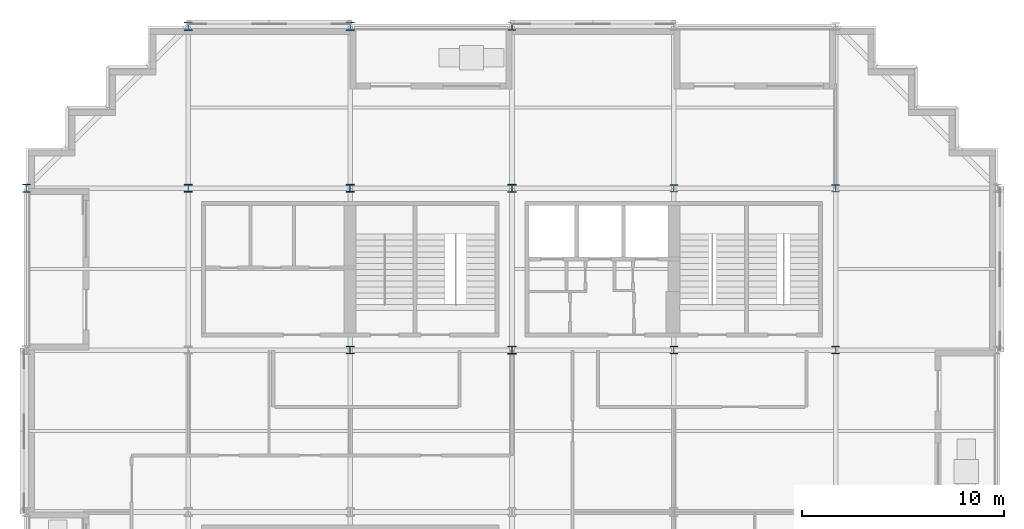
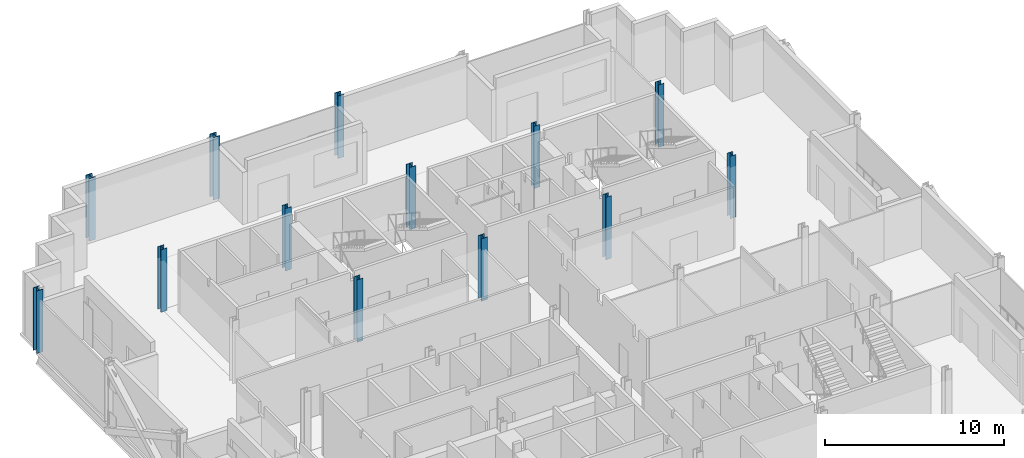
# One storey, part 2 of 15: 13 columns.
"""IFC4 building model written with IfcOpenShell, lengths in metres."""

from ifc_helpers import new_model, si_unit, direction, frame, origin, origin_2d, place, context, subcontext, project, spatial, i_section, extrude, material, material_profile, profile_set, type_object, element, save


model = new_model("IFC4")

# Units and contexts
model_context = context("Model", 3, precision=1e-05, world=origin(), true_north=direction((0.0, 1.0)))
body_context = subcontext(model_context, "Body", "Model", "MODEL_VIEW")
ifc_project = project(units=[si_unit("LENGTHUNIT", "METRE"), si_unit("AREAUNIT", "SQUARE_METRE"), si_unit("VOLUMEUNIT", "CUBIC_METRE"), si_unit("PLANEANGLEUNIT", "RADIAN"), si_unit("MASSUNIT", "GRAM", prefix="KILO")], contexts=[model_context])

# Site, building, storey
site_placement = place(None, origin())
site = spatial("IfcSite", under=ifc_project, at=site_placement, CompositionType="ELEMENT")
building_placement = place(site_placement, origin())
building = spatial("IfcBuilding", under=site, at=building_placement, Name="Immortelle Media Tower", CompositionType="ELEMENT")
storey_placement = place(building_placement, frame((0.0, 0.0, 83.199951171875)))
storey = spatial("IfcBuildingStorey", under=building, at=storey_placement, Name="L15", CompositionType="ELEMENT", Elevation=83.199951171875)

# Columns
ifc_material = material(Name="Steel ASTM A992 Gr 50", Category="steel")
ifc_material_profile_1 = material_profile(ifc_material, i_section(OverallWidth=0.39404296875, OverallDepth=0.3759765625, WebThickness=0.01708984375, FlangeThickness=0.028076171875, at=origin_2d()), Name="W14x145")
ifc_profile_set_1 = profile_set([ifc_material_profile_1], Name="Steel ASTM A992 Gr 50")
column_type_1 = type_object("IfcColumnType", Name="W14x145 column", PredefinedType="COLUMN", material=ifc_profile_set_1)
for number, where, z_axis, x_axis, name in (
    (1, (8.0, 40.0, 0.0), (0.0, 0.0, 1.0), (1.0, 0.0, 0.0), "Column 2/F"),
    (2, (16.0, 32.0, 0.0), (0.0, 0.0, 1.0), (1.0, 0.0, 0.0), "Column 3/E"),
    (3, (16.0, 40.0, 0.0), (0.0, 0.0, 1.0), (1.0, 0.0, 0.0), "Column 3/F"),
):
    element("IfcColumn", number, at=place(storey_placement, frame(where, z_axis=z_axis, x_axis=x_axis)), inside=storey, type_object=column_type_1, Name=name, PredefinedType="COLUMN", context=body_context, shape_type="SweptSolid", body=[
        extrude(i_section(OverallWidth=0.39404296875, OverallDepth=0.3759765625, WebThickness=0.01708984375, FlangeThickness=0.028076171875, at=origin_2d()), origin(), (0.0, 0.0, 1.0), 4.25),
    ])
ifc_material_profile_2 = material_profile(ifc_material, i_section(OverallWidth=0.39892578125, OverallDepth=0.385986328125, WebThickness=0.02099609375, FlangeThickness=0.032958984375, at=origin_2d()), Name="W14x176")
ifc_profile_set_2 = profile_set([ifc_material_profile_2], Name="Steel ASTM A992 Gr 50")
column_type_2 = type_object("IfcColumnType", Name="W14x176 column", PredefinedType="COLUMN", material=ifc_profile_set_2)
for number, where, z_axis, x_axis, name in (
    (4, (24.0, 32.0, 0.0), (0.0, 0.0, 1.0), (1.0, 0.0, 0.0), "Column 4/E"),
    (5, (24.0, 40.0, 0.0), (0.0, 0.0, 1.0), (1.0, 0.0, 0.0), "Column 4/F"),
):
    element("IfcColumn", number, at=place(storey_placement, frame(where, z_axis=z_axis, x_axis=x_axis)), inside=storey, type_object=column_type_2, Name=name, PredefinedType="COLUMN", context=body_context, shape_type="SweptSolid", body=[
        extrude(i_section(OverallWidth=0.39892578125, OverallDepth=0.385986328125, WebThickness=0.02099609375, FlangeThickness=0.032958984375, at=origin_2d()), origin(), (0.0, 0.0, 1.0), 4.25),
    ])
ifc_material_profile_3 = material_profile(ifc_material, i_section(OverallWidth=0.40087890625, OverallDepth=0.39892578125, WebThickness=0.02490234375, FlangeThickness=0.0400390625, at=origin_2d()), Name="W14x211")
ifc_profile_set_3 = profile_set([ifc_material_profile_3], Name="Steel ASTM A992 Gr 50")
column_type_3 = type_object("IfcColumnType", Name="W14x211 column", PredefinedType="COLUMN", material=ifc_profile_set_3)
for number, where, z_axis, x_axis, name in (
    (6, (0.0, 40.0, 0.0), (0.0, 0.0, 1.0), (1.0, 0.0, 0.0), "Column 1/F"),
    (7, (24.0, 48.0, 0.0), (0.0, 0.0, 1.0), (1.0, 0.0, 0.0), "Column 4/G"),
):
    element("IfcColumn", number, at=place(storey_placement, frame(where, z_axis=z_axis, x_axis=x_axis)), inside=storey, type_object=column_type_3, Name=name, PredefinedType="COLUMN", context=body_context, shape_type="SweptSolid", body=[
        extrude(i_section(OverallWidth=0.40087890625, OverallDepth=0.39892578125, WebThickness=0.02490234375, FlangeThickness=0.0400390625, at=origin_2d()), origin(), (0.0, 0.0, 1.0), 4.25),
    ])
ifc_material_profile_4 = material_profile(ifc_material, i_section(OverallWidth=0.410888671875, OverallDepth=0.43408203125, WebThickness=0.035888671875, FlangeThickness=0.056884765625, at=origin_2d()), Name="W14x311")
ifc_profile_set_4 = profile_set([ifc_material_profile_4], Name="Steel ASTM A992 Gr 50")
column_type_4 = type_object("IfcColumnType", Name="W14x311 column", PredefinedType="COLUMN", material=ifc_profile_set_4)
for number, where, z_axis, x_axis, name in (
    (8, (8.0, 48.0, 0.0), (0.0, 0.0, 1.0), (1.0, 0.0, 0.0), "Column 2/G"),
    (9, (16.0, 48.0, 0.0), (0.0, 0.0, 1.0), (1.0, 0.0, 0.0), "Column 3/G"),
):
    element("IfcColumn", number, at=place(storey_placement, frame(where, z_axis=z_axis, x_axis=x_axis)), inside=storey, type_object=column_type_4, Name=name, PredefinedType="COLUMN", context=body_context, shape_type="SweptSolid", body=[
        extrude(i_section(OverallWidth=0.410888671875, OverallDepth=0.43408203125, WebThickness=0.035888671875, FlangeThickness=0.056884765625, at=origin_2d()), origin(), (0.0, 0.0, 1.0), 4.25),
    ])
ifc_material_profile_5 = material_profile(ifc_material, i_section(OverallWidth=0.37109375, OverallDepth=0.361083984375, WebThickness=0.011962890625, FlangeThickness=0.02001953125, at=origin_2d()), Name="W14x99")
ifc_profile_set_5 = profile_set([ifc_material_profile_5], Name="Steel ASTM A992 Gr 50")
column_type_5 = type_object("IfcColumnType", Name="W14x99 column", PredefinedType="COLUMN", material=ifc_profile_set_5)
for number, where, z_axis, x_axis, name in (
    (10, (32.0, 32.0, 0.0), (0.0, 0.0, 1.0), (1.0, 0.0, 0.0), "Column 5/E"),
    (11, (32.0, 40.0, 0.0), (0.0, 0.0, 1.0), (1.0, 0.0, 0.0), "Column 5/F"),
    (12, (40.0, 32.0, 0.0), (0.0, 0.0, 1.0), (1.0, 0.0, 0.0), "Column 6/E"),
    (13, (40.0, 40.0, 0.0), (0.0, 0.0, 1.0), (1.0, 0.0, 0.0), "Column 6/F"),
):
    element("IfcColumn", number, at=place(storey_placement, frame(where, z_axis=z_axis, x_axis=x_axis)), inside=storey, type_object=column_type_5, Name=name, PredefinedType="COLUMN", context=body_context, shape_type="SweptSolid", body=[
        extrude(i_section(OverallWidth=0.37109375, OverallDepth=0.361083984375, WebThickness=0.011962890625, FlangeThickness=0.02001953125, at=origin_2d()), origin(), (0.0, 0.0, 1.0), 4.25),
    ])

save(model, "model.ifc")
